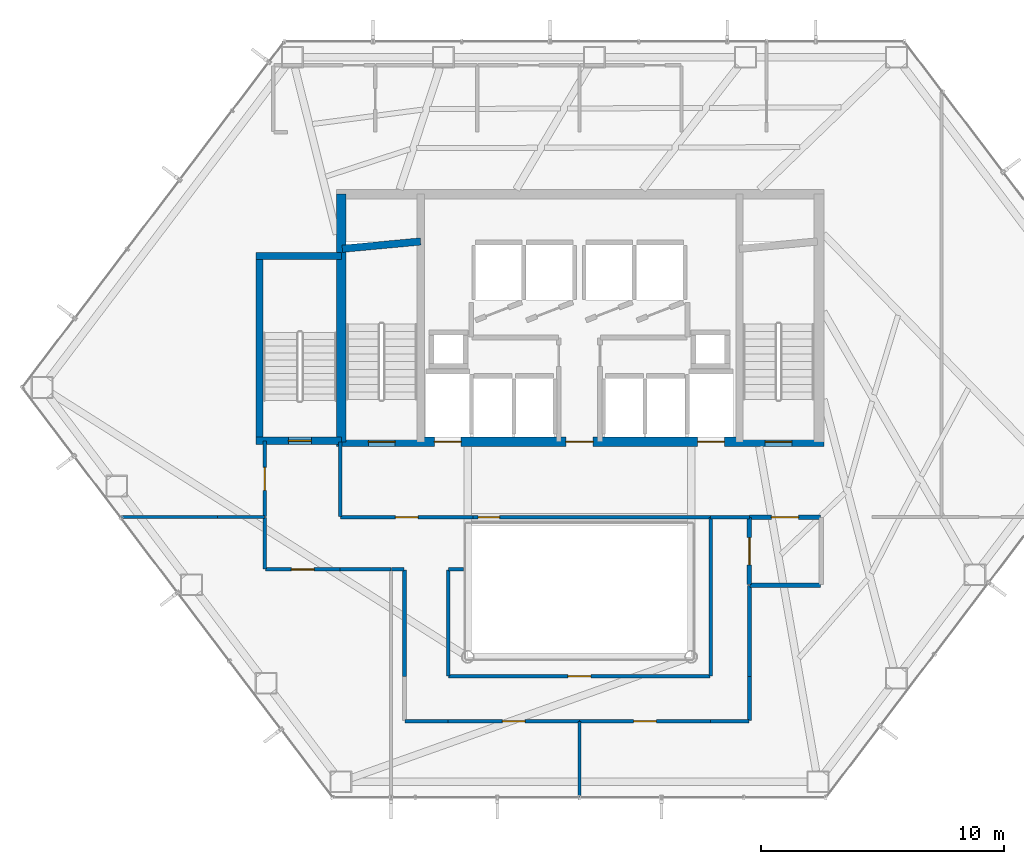
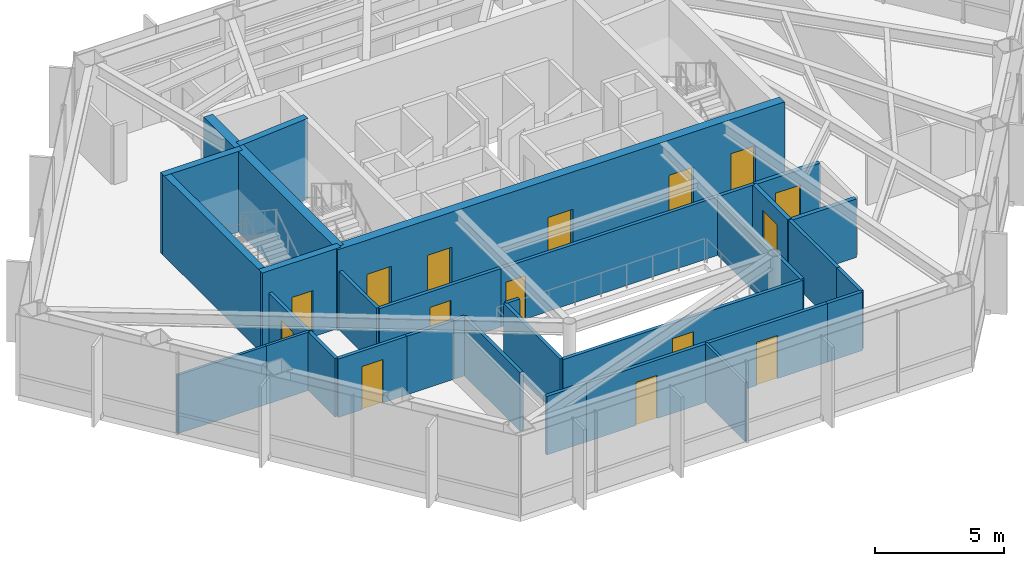
# One storey, part 21 of 24: 32 walls, 15 doors, 15 openings.
"""IFC4 building model written with IfcOpenShell, lengths in metres."""

from ifc_helpers import new_model, si_unit, direction, frame, frame_2d, origin, place, context, subcontext, project, spatial, rectangle, extrude, material, layer, layer_set, type_object, element, fill, save


model = new_model("IFC4")

# Units and contexts
model_context = context("Model", 3, precision=1e-05, world=origin(), true_north=direction((0.0, 1.0)))
body_context = subcontext(model_context, "Body", "Model", "MODEL_VIEW")
ifc_project = project(units=[si_unit("LENGTHUNIT", "METRE"), si_unit("AREAUNIT", "SQUARE_METRE"), si_unit("VOLUMEUNIT", "CUBIC_METRE"), si_unit("PLANEANGLEUNIT", "RADIAN"), si_unit("MASSUNIT", "GRAM", prefix="KILO")], contexts=[model_context])

# Site, building, storey
site_placement = place(None, origin())
site = spatial("IfcSite", under=ifc_project, at=site_placement, CompositionType="ELEMENT")
building_placement = place(site_placement, origin())
building = spatial("IfcBuilding", under=site, at=building_placement, Name="Zarrinselat Tower", CompositionType="ELEMENT")
storey_placement = place(building_placement, frame((0.0, 0.0, 76.5)))
storey = spatial("IfcBuildingStorey", under=building, at=storey_placement, Name="L18", CompositionType="ELEMENT", Elevation=76.5)

# Wall, opening, door
ifc_material_1 = material(Name="Concrete C40/50", Category="concrete")
ifc_layer_1 = layer(ifc_material_1, 0.18994140625)
ifc_layer_set_1 = layer_set([ifc_layer_1], Name="Concrete C40/50")
wall_type_1 = type_object("IfcWallType", Name="WAL-PART-EI120", PredefinedType="PARTITIONING", material=ifc_layer_set_1)
wall_1_placement = place(storey_placement, frame((45.405029296875, 30.14990234375, 0.0), z_axis=(0.0, 0.0, 1.0), x_axis=(1.0, 0.0, 0.0)))
wall_1 = element("IfcWall", 1, at=wall_1_placement, inside=storey, type_object=wall_type_1, Name="L18 Partition Wall 7", PredefinedType="PARTITIONING", context=body_context, shape_type="SweptSolid", body=[
    extrude(rectangle(XDim=2.925048828125, YDim=0.18994140625, at=frame_2d((1.46240234375, 0.0))), origin(), (0.0, 0.0, 1.0), 2.777099609375),
])
opening_1_placement = place(wall_1_placement, frame((0.902587890625, 0.0, 0.0)))
opening_1 = element("IfcOpeningElement", 2, at=opening_1_placement, cuts=wall_1, Name="Opening ID-02", PredefinedType="OPENING", context=body_context, shape_type="SweptSolid", body=[
    extrude(rectangle(XDim=1.1201171875, YDim=2.050048828125, at=frame_2d((0.56005859375, 1.02490234375))), frame((0.0, 0.10498046875, 0.0), z_axis=(0.0, -1.0, 0.0), x_axis=(1.0, 0.0, 0.0)), (0.0, 0.0, 1.0), 0.2099609375),
])
ifc_material_2 = material(Name="Steel S355J2", Category="steel")
door_type_1 = type_object("IfcDoorType", Name="DR-INT-FD60-W", OperationType="NOTDEFINED", PredefinedType="DOOR", material=ifc_material_2)
door_1_placement = place(opening_1_placement, origin())
door_1 = element("IfcDoor", 3, at=door_1_placement, inside=storey, type_object=door_type_1, Name="L18 Interior Door P7", OperationType="SINGLE_SWING_RIGHT", OverallHeight=2.050048828125, OverallWidth=1.1201171875, PredefinedType="DOOR", context=body_context, shape_type="SweptSolid", body=[
    extrude(rectangle(XDim=1.1201171875, YDim=2.050048828125, at=frame_2d((0.56005859375, 1.02490234375))), frame((0.0, 0.02490234375, 0.0), z_axis=(0.0, -1.0, 0.0), x_axis=(1.0, 0.0, 0.0)), (0.0, 0.0, 1.0), 0.050048828125),
])
fill(opening_1, door_1)

wall_2_placement = place(storey_placement, frame((45.39990234375, 27.3701171875, 0.0), z_axis=(0.0, 0.0, 1.0), x_axis=(0.0, 1.0, 0.0)))
wall_2 = element("IfcWall", 4, at=wall_2_placement, inside=storey, type_object=wall_type_1, Name="L18 Partition Wall 12", PredefinedType="PARTITIONING", context=body_context, shape_type="SweptSolid", body=[
    extrude(rectangle(XDim=2.759765625, YDim=0.18994140625, at=frame_2d((1.3798828125, 0.0))), origin(), (0.0, 0.0, 1.0), 2.777099609375),
])
opening_2_placement = place(wall_2_placement, frame((0.820068359375, 0.0, 0.0)))
opening_2 = element("IfcOpeningElement", 5, at=opening_2_placement, cuts=wall_2, Name="Opening ID-02", PredefinedType="OPENING", context=body_context, shape_type="SweptSolid", body=[
    extrude(rectangle(XDim=1.1201171875, YDim=2.050048828125, at=frame_2d((0.56005859375, 1.02490234375))), frame((0.0, 0.10498046875, 0.0), z_axis=(0.0, -1.0, 0.0), x_axis=(1.0, 0.0, 0.0)), (0.0, 0.0, 1.0), 0.2099609375),
])
door_2_placement = place(opening_2_placement, origin())
door_2 = element("IfcDoor", 6, at=door_2_placement, inside=storey, type_object=door_type_1, Name="L18 Interior Door P12", OperationType="SINGLE_SWING_LEFT", OverallHeight=2.050048828125, OverallWidth=1.1201171875, PredefinedType="DOOR", context=body_context, shape_type="SweptSolid", body=[
    extrude(rectangle(XDim=1.1201171875, YDim=2.050048828125, at=frame_2d((0.56005859375, 1.02490234375))), frame((0.0, 0.02490234375, 0.0), z_axis=(0.0, -1.0, 0.0), x_axis=(1.0, 0.0, 0.0)), (0.0, 0.0, 1.0), 0.050048828125),
])
fill(opening_2, door_2)

# Walls
wall_3_placement = place(storey_placement, frame((45.419921875, 27.35009765625, 0.0), z_axis=(0.0, 0.0, 1.0), x_axis=(1.0, 0.0, 0.0)))
element("IfcWall", 7, at=wall_3_placement, inside=storey, type_object=wall_type_1, Name="L18 Partition Wall 13", PredefinedType="PARTITIONING", context=body_context, shape_type="SweptSolid", body=[
    extrude(rectangle(XDim=2.91015625, YDim=0.18994140625, at=frame_2d((1.455078125, 0.0))), origin(), (0.0, 0.0, 1.0), 2.777099609375),
])
ifc_material_3 = material(Name="Fire-Rated Gypsum Board Partition", Category="gypsum")
ifc_layer_2 = layer(ifc_material_3, 0.14990234375)
ifc_layer_set_2 = layer_set([ifc_layer_2], Name="Fire-Rated Gypsum Board Partition")
wall_type_2 = type_object("IfcWallType", Name="WAL-PART-EI60", PredefinedType="PARTITIONING", material=ifc_layer_set_2)
wall_4_placement = place(storey_placement, frame((43.804931640625, 30.14990234375, 0.0), z_axis=(0.0, 0.0, 1.0), x_axis=(1.0, 0.0, 0.0)))
element("IfcWall", 8, at=wall_4_placement, inside=storey, type_object=wall_type_2, Name="L18 Partition Wall 8", PredefinedType="PARTITIONING", context=body_context, shape_type="SweptSolid", body=[
    extrude(rectangle(XDim=1.590087890625, YDim=0.14990234375, at=frame_2d((0.794921875, 0.0))), origin(), (0.0, 0.0, 1.0), 2.777099609375),
])

# Wall, opening, door
wall_5_placement = place(storey_placement, frame((28.570068359375, 30.14990234375, 0.0), z_axis=(0.0, 0.0, 1.0), x_axis=(1.0, 0.0, 0.0)))
wall_5 = element("IfcWall", 9, at=wall_5_placement, inside=storey, type_object=wall_type_2, Name="L18 Partition Wall 9", PredefinedType="PARTITIONING", context=body_context, shape_type="SweptSolid", body=[
    extrude(rectangle(XDim=5.44482421875, YDim=0.14990234375, at=frame_2d((2.722412109375, 0.0))), origin(), (0.0, 0.0, 1.0), 2.777099609375),
])
opening_3_placement = place(wall_5_placement, frame((2.25244140625, 0.0, 0.0)))
opening_3 = element("IfcOpeningElement", 10, at=opening_3_placement, cuts=wall_5, Name="Opening ID-04", PredefinedType="OPENING", context=body_context, shape_type="SweptSolid", body=[
    extrude(rectangle(XDim=0.93994140625, YDim=2.050048828125, at=frame_2d((0.469970703125, 1.02490234375))), frame((0.0, 0.0849609375, 0.0), z_axis=(0.0, -1.0, 0.0), x_axis=(1.0, 0.0, 0.0)), (0.0, 0.0, 1.0), 0.169921875),
])
ifc_material_4 = material(Name="Fire-Rated Gypsum Board Partition")
door_type_2 = type_object("IfcDoorType", Name="DR-INT-FD30-ENT", OperationType="NOTDEFINED", PredefinedType="DOOR", material=ifc_material_4)
door_3_placement = place(opening_3_placement, origin())
door_3 = element("IfcDoor", 11, at=door_3_placement, inside=storey, type_object=door_type_2, Name="L18 Interior Door P9", OperationType="SINGLE_SWING_LEFT", OverallHeight=2.050048828125, OverallWidth=0.93994140625, PredefinedType="DOOR", context=body_context, shape_type="SweptSolid", body=[
    extrude(rectangle(XDim=0.93994140625, YDim=2.050048828125, at=frame_2d((0.469970703125, 1.02490234375))), frame((0.0, 0.02490234375, 0.0), z_axis=(0.0, -1.0, 0.0), x_axis=(1.0, 0.0, 0.0)), (0.0, 0.0, 1.0), 0.050048828125),
])
fill(opening_3, door_3)

# Wall
wall_6_placement = place(storey_placement, frame((28.550048828125, 30.169921875, 0.0), z_axis=(0.0, 0.0, 1.0), x_axis=(0.0, 1.0, 0.0)))
element("IfcWall", 12, at=wall_6_placement, inside=storey, type_object=wall_type_2, Name="L18 Partition Wall 10", PredefinedType="PARTITIONING", context=body_context, shape_type="SweptSolid", body=[
    extrude(rectangle(XDim=3.065185546875, YDim=0.14990234375, at=frame_2d((1.53271484375, 0.0))), origin(), (0.0, 0.0, 1.0), 2.777099609375),
])

# Wall, opening, door
wall_7_placement = place(storey_placement, frame((33.985107421875, 30.14990234375, 0.0), z_axis=(0.0, 0.0, 1.0), x_axis=(1.0, 0.0, 0.0)))
wall_7 = element("IfcWall", 13, at=wall_7_placement, inside=storey, type_object=wall_type_2, Name="L18 Partition Wall 11", PredefinedType="PARTITIONING", context=body_context, shape_type="SweptSolid", body=[
    extrude(rectangle(XDim=9.809814453125, YDim=0.14990234375, at=frame_2d((4.90478515625, 0.0))), origin(), (0.0, 0.0, 1.0), 2.777099609375),
])
opening_4_placement = place(wall_7_placement, frame((0.25, 0.0, 0.0)))
opening_4 = element("IfcOpeningElement", 14, at=opening_4_placement, cuts=wall_7, Name="Opening ID-03", PredefinedType="OPENING", context=body_context, shape_type="SweptSolid", body=[
    extrude(rectangle(XDim=0.8798828125, YDim=2.050048828125, at=frame_2d((0.43994140625, 1.02490234375))), frame((0.0, 0.0849609375, 0.0), z_axis=(0.0, -1.0, 0.0), x_axis=(1.0, 0.0, 0.0)), (0.0, 0.0, 1.0), 0.169921875),
])
ifc_material_5 = material(Name="Steel S355J2", Category="steel")
door_type_3 = type_object("IfcDoorType", Name="DR-INT-FD60-S", OperationType="NOTDEFINED", PredefinedType="DOOR", material=ifc_material_5)
door_4_placement = place(opening_4_placement, origin())
door_4 = element("IfcDoor", 15, at=door_4_placement, inside=storey, type_object=door_type_3, Name="L18 Interior Door P11", OperationType="SINGLE_SWING_RIGHT", OverallHeight=2.050048828125, OverallWidth=0.8798828125, PredefinedType="DOOR", context=body_context, shape_type="SweptSolid", body=[
    extrude(rectangle(XDim=0.8798828125, YDim=2.050048828125, at=frame_2d((0.43994140625, 1.02490234375))), frame((0.0, 0.02490234375, 0.0), z_axis=(0.0, -1.0, 0.0), x_axis=(1.0, 0.0, 0.0)), (0.0, 0.0, 1.0), 0.050048828125),
])
fill(opening_4, door_4)

wall_8_placement = place(storey_placement, frame((33.0, 21.75, 0.0), z_axis=(0.0, 0.0, 1.0), x_axis=(1.0, 0.0, 0.0)))
wall_8 = element("IfcWall", 16, at=wall_8_placement, inside=storey, type_object=wall_type_2, Name="L18 Partition Wall 15", PredefinedType="PARTITIONING", context=body_context, shape_type="SweptSolid", body=[
    extrude(rectangle(XDim=5.39501953125, YDim=0.14990234375, at=frame_2d((2.697509765625, 0.0))), origin(), (0.0, 0.0, 1.0), 2.777099609375),
])
opening_5_placement = place(wall_8_placement, frame((2.2275390625, 0.0, 0.0)))
opening_5 = element("IfcOpeningElement", 17, at=opening_5_placement, cuts=wall_8, Name="Opening ID-04", PredefinedType="OPENING", context=body_context, shape_type="SweptSolid", body=[
    extrude(rectangle(XDim=0.93994140625, YDim=2.050048828125, at=frame_2d((0.469970703125, 1.02490234375))), frame((0.0, 0.0849609375, 0.0), z_axis=(0.0, -1.0, 0.0), x_axis=(1.0, 0.0, 0.0)), (0.0, 0.0, 1.0), 0.169921875),
])
door_5_placement = place(opening_5_placement, origin())
door_5 = element("IfcDoor", 18, at=door_5_placement, inside=storey, type_object=door_type_2, Name="L18 Interior Door P15", OperationType="SINGLE_SWING_RIGHT", OverallHeight=2.050048828125, OverallWidth=0.93994140625, PredefinedType="DOOR", context=body_context, shape_type="SweptSolid", body=[
    extrude(rectangle(XDim=0.93994140625, YDim=2.050048828125, at=frame_2d((0.469970703125, 1.02490234375))), frame((0.0, 0.02490234375, 0.0), z_axis=(0.0, -1.0, 0.0), x_axis=(1.0, 0.0, 0.0)), (0.0, 0.0, 1.0), 0.050048828125),
])
fill(opening_5, door_5)

# Walls
wall_9_placement = place(storey_placement, frame((31.219970703125, 21.75, 0.0), z_axis=(0.0, 0.0, 1.0), x_axis=(1.0, 0.0, 0.0)))
element("IfcWall", 19, at=wall_9_placement, inside=storey, type_object=wall_type_2, Name="L18 Partition Wall 16", PredefinedType="PARTITIONING", context=body_context, shape_type="SweptSolid", body=[
    extrude(rectangle(XDim=1.780029296875, YDim=0.14990234375, at=frame_2d((0.89013671875, 0.0))), origin(), (0.0, 0.0, 1.0), 2.777099609375),
])
wall_10_placement = place(storey_placement, frame((31.199951171875, 23.60009765625, 0.0), z_axis=(0.0, 0.0, 1.0), x_axis=(0.0, 1.0, 0.0)))
element("IfcWall", 20, at=wall_10_placement, inside=storey, type_object=wall_type_2, Name="L18 Partition Wall 18", PredefinedType="PARTITIONING", context=body_context, shape_type="SweptSolid", body=[
    extrude(rectangle(XDim=4.3798828125, YDim=0.14990234375, at=frame_2d((2.18994140625, 0.0))), origin(), (0.0, 0.0, 1.0), 2.777099609375),
])
wall_11_placement = place(storey_placement, frame((30.655029296875, 28.0, 0.0), z_axis=(0.0, 0.0, 1.0), x_axis=(1.0, 0.0, 0.0)))
element("IfcWall", 21, at=wall_11_placement, inside=storey, type_object=wall_type_2, Name="L18 Partition Wall 19", PredefinedType="PARTITIONING", context=body_context, shape_type="SweptSolid", body=[
    extrude(rectangle(XDim=0.52490234375, YDim=0.14990234375, at=frame_2d((0.262451171875, 0.0))), origin(), (0.0, 0.0, 1.0), 2.777099609375),
])
wall_12_placement = place(storey_placement, frame((45.39990234375, 23.60009765625, 0.0), z_axis=(0.0, 0.0, 1.0), x_axis=(0.0, 1.0, 0.0)))
element("IfcWall", 22, at=wall_12_placement, inside=storey, type_object=wall_type_2, Name="L18 Partition Wall 20", PredefinedType="PARTITIONING", context=body_context, shape_type="SweptSolid", body=[
    extrude(rectangle(XDim=3.72998046875, YDim=0.14990234375, at=frame_2d((1.864990234375, 0.0))), origin(), (0.0, 0.0, 1.0), 2.777099609375),
])
wall_13_placement = place(storey_placement, frame((45.39990234375, 21.77001953125, 0.0), z_axis=(0.0, 0.0, 1.0), x_axis=(0.0, 1.0, 0.0)))
element("IfcWall", 23, at=wall_13_placement, inside=storey, type_object=wall_type_2, Name="L18 Partition Wall 21", PredefinedType="PARTITIONING", context=body_context, shape_type="SweptSolid", body=[
    extrude(rectangle(XDim=1.830078125, YDim=0.14990234375, at=frame_2d((0.9150390625, 0.0))), origin(), (0.0, 0.0, 1.0), 2.777099609375),
])
wall_14_placement = place(storey_placement, frame((43.800048828125, 21.75, 0.0), z_axis=(0.0, 0.0, 1.0), x_axis=(1.0, 0.0, 0.0)))
element("IfcWall", 24, at=wall_14_placement, inside=storey, type_object=wall_type_2, Name="L18 Partition Wall 22", PredefinedType="PARTITIONING", context=body_context, shape_type="SweptSolid", body=[
    extrude(rectangle(XDim=1.579833984375, YDim=0.14990234375, at=frame_2d((0.7900390625, 0.0))), origin(), (0.0, 0.0, 1.0), 2.777099609375),
])

# Wall, opening, door
wall_15_placement = place(storey_placement, frame((38.405029296875, 21.75, 0.0), z_axis=(0.0, 0.0, 1.0), x_axis=(1.0, 0.0, 0.0)))
wall_15 = element("IfcWall", 25, at=wall_15_placement, inside=storey, type_object=wall_type_2, Name="L18 Partition Wall 23", PredefinedType="PARTITIONING", context=body_context, shape_type="SweptSolid", body=[
    extrude(rectangle(XDim=5.39501953125, YDim=0.14990234375, at=frame_2d((2.697509765625, 0.0))), origin(), (0.0, 0.0, 1.0), 2.777099609375),
])
opening_6_placement = place(wall_15_placement, frame((2.2275390625, 0.0, 0.0)))
opening_6 = element("IfcOpeningElement", 26, at=opening_6_placement, cuts=wall_15, Name="Opening ID-04", PredefinedType="OPENING", context=body_context, shape_type="SweptSolid", body=[
    extrude(rectangle(XDim=0.93994140625, YDim=2.050048828125, at=frame_2d((0.469970703125, 1.02490234375))), frame((0.0, 0.0849609375, 0.0), z_axis=(0.0, -1.0, 0.0), x_axis=(1.0, 0.0, 0.0)), (0.0, 0.0, 1.0), 0.169921875),
])
door_6_placement = place(opening_6_placement, origin())
door_6 = element("IfcDoor", 27, at=door_6_placement, inside=storey, type_object=door_type_2, Name="L18 Interior Door P23", OperationType="SINGLE_SWING_LEFT", OverallHeight=2.050048828125, OverallWidth=0.93994140625, PredefinedType="DOOR", context=body_context, shape_type="SweptSolid", body=[
    extrude(rectangle(XDim=0.93994140625, YDim=2.050048828125, at=frame_2d((0.469970703125, 1.02490234375))), frame((0.0, 0.02490234375, 0.0), z_axis=(0.0, -1.0, 0.0), x_axis=(1.0, 0.0, 0.0)), (0.0, 0.0, 1.0), 0.050048828125),
])
fill(opening_6, door_6)

# Wall
wall_16_placement = place(storey_placement, frame((28.550048828125, 28.0, 0.0), z_axis=(0.0, 0.0, 1.0), x_axis=(1.0, 0.0, 0.0)))
element("IfcWall", 28, at=wall_16_placement, inside=storey, type_object=wall_type_2, Name="L18 Partition Wall 24", PredefinedType="PARTITIONING", context=body_context, shape_type="SweptSolid", body=[
    extrude(rectangle(XDim=2.094970703125, YDim=0.14990234375, at=frame_2d((1.04736328125, 0.0))), origin(), (0.0, 0.0, 1.0), 2.777099609375),
])

# Wall, opening, door
wall_17_placement = place(storey_placement, frame((25.469970703125, 28.0, 0.0), z_axis=(0.0, 0.0, 1.0), x_axis=(1.0, 0.0, 0.0)))
wall_17 = element("IfcWall", 29, at=wall_17_placement, inside=storey, type_object=wall_type_2, Name="L18 Partition Wall 25", PredefinedType="PARTITIONING", context=body_context, shape_type="SweptSolid", body=[
    extrude(rectangle(XDim=3.080078125, YDim=0.14990234375, at=frame_2d((1.5400390625, 0.0))), origin(), (0.0, 0.0, 1.0), 2.777099609375),
])
opening_7_placement = place(wall_17_placement, frame((1.070068359375, 0.0, 0.0)))
opening_7 = element("IfcOpeningElement", 30, at=opening_7_placement, cuts=wall_17, Name="Opening ID-04", PredefinedType="OPENING", context=body_context, shape_type="SweptSolid", body=[
    extrude(rectangle(XDim=0.93994140625, YDim=2.050048828125, at=frame_2d((0.469970703125, 1.02490234375))), frame((0.0, 0.0849609375, 0.0), z_axis=(0.0, -1.0, 0.0), x_axis=(1.0, 0.0, 0.0)), (0.0, 0.0, 1.0), 0.169921875),
])
door_7_placement = place(opening_7_placement, origin())
door_7 = element("IfcDoor", 31, at=door_7_placement, inside=storey, type_object=door_type_2, Name="L18 Interior Door P25", OperationType="SINGLE_SWING_RIGHT", OverallHeight=2.050048828125, OverallWidth=0.93994140625, PredefinedType="DOOR", context=body_context, shape_type="SweptSolid", body=[
    extrude(rectangle(XDim=0.93994140625, YDim=2.050048828125, at=frame_2d((0.469970703125, 1.02490234375))), frame((0.0, 0.02490234375, 0.0), z_axis=(0.0, -1.0, 0.0), x_axis=(1.0, 0.0, 0.0)), (0.0, 0.0, 1.0), 0.050048828125),
])
fill(opening_7, door_7)

# Wall
wall_18_placement = place(storey_placement, frame((25.449951171875, 28.02001953125, 0.0), z_axis=(0.0, 0.0, 1.0), x_axis=(0.0, 1.0, 0.0)))
element("IfcWall", 32, at=wall_18_placement, inside=storey, type_object=wall_type_2, Name="L18 Partition Wall 26", PredefinedType="PARTITIONING", context=body_context, shape_type="SweptSolid", body=[
    extrude(rectangle(XDim=2.10986328125, YDim=0.14990234375, at=frame_2d((1.054931640625, 0.0))), origin(), (0.0, 0.0, 1.0), 2.777099609375),
])

# Wall, opening, door
wall_19_placement = place(storey_placement, frame((25.449951171875, 30.169921875, 0.0), z_axis=(0.0, 0.0, 1.0), x_axis=(0.0, 1.0, 0.0)))
wall_19 = element("IfcWall", 33, at=wall_19_placement, inside=storey, type_object=wall_type_2, Name="L18 Partition Wall 27", PredefinedType="PARTITIONING", context=body_context, shape_type="SweptSolid", body=[
    extrude(rectangle(XDim=3.114990234375, YDim=0.14990234375, at=frame_2d((1.5576171875, 0.0))), origin(), (0.0, 0.0, 1.0), 2.777099609375),
])
opening_8_placement = place(wall_19_placement, frame((1.08740234375, 0.0, 0.0)))
opening_8 = element("IfcOpeningElement", 34, at=opening_8_placement, cuts=wall_19, Name="Opening ID-04", PredefinedType="OPENING", context=body_context, shape_type="SweptSolid", body=[
    extrude(rectangle(XDim=0.93994140625, YDim=2.050048828125, at=frame_2d((0.469970703125, 1.02490234375))), frame((0.0, 0.0849609375, 0.0), z_axis=(0.0, -1.0, 0.0), x_axis=(1.0, 0.0, 0.0)), (0.0, 0.0, 1.0), 0.169921875),
])
door_8_placement = place(opening_8_placement, origin())
door_8 = element("IfcDoor", 35, at=door_8_placement, inside=storey, type_object=door_type_2, Name="L18 Interior Door P27", OperationType="SINGLE_SWING_LEFT", OverallHeight=2.050048828125, OverallWidth=0.93994140625, PredefinedType="DOOR", context=body_context, shape_type="SweptSolid", body=[
    extrude(rectangle(XDim=0.93994140625, YDim=2.050048828125, at=frame_2d((0.469970703125, 1.02490234375))), frame((0.0, 0.02490234375, 0.0), z_axis=(0.0, -1.0, 0.0), x_axis=(1.0, 0.0, 0.0)), (0.0, 0.0, 1.0), 0.050048828125),
])
fill(opening_8, door_8)

# Walls
wall_20_placement = place(storey_placement, frame((33.02001953125, 28.0, 0.0), z_axis=(0.0, 0.0, 1.0), x_axis=(1.0, 0.0, 0.0)))
element("IfcWall", 36, at=wall_20_placement, inside=storey, type_object=wall_type_2, Name="L18 Partition Wall 28", PredefinedType="PARTITIONING", context=body_context, shape_type="SweptSolid", body=[
    extrude(rectangle(XDim=0.60009765625, YDim=0.14990234375, at=frame_2d((0.300048828125, 0.0))), origin(), (0.0, 0.0, 1.0), 2.777099609375),
])
wall_21_placement = place(storey_placement, frame((33.0, 23.6201171875, 0.0), z_axis=(0.0, 0.0, 1.0), x_axis=(0.0, 1.0, 0.0)))
element("IfcWall", 37, at=wall_21_placement, inside=storey, type_object=wall_type_2, Name="L18 Partition Wall 29", PredefinedType="PARTITIONING", context=body_context, shape_type="SweptSolid", body=[
    extrude(rectangle(XDim=4.35986328125, YDim=0.14990234375, at=frame_2d((2.179931640625, 0.0))), origin(), (0.0, 0.0, 1.0), 2.777099609375),
])

# Wall, opening, door
wall_22_placement = place(storey_placement, frame((33.02001953125, 23.60009765625, 0.0), z_axis=(0.0, 0.0, 1.0), x_axis=(1.0, 0.0, 0.0)))
wall_22 = element("IfcWall", 38, at=wall_22_placement, inside=storey, type_object=wall_type_2, Name="L18 Partition Wall 30", PredefinedType="PARTITIONING", context=body_context, shape_type="SweptSolid", body=[
    extrude(rectangle(XDim=10.760009765625, YDim=0.14990234375, at=frame_2d((5.3798828125, 0.0))), origin(), (0.0, 0.0, 1.0), 2.777099609375),
])
opening_9_placement = place(wall_22_placement, frame((4.909912109375, 0.0, 0.0)))
opening_9 = element("IfcOpeningElement", 39, at=opening_9_placement, cuts=wall_22, Name="Opening ID-04", PredefinedType="OPENING", context=body_context, shape_type="SweptSolid", body=[
    extrude(rectangle(XDim=0.93994140625, YDim=2.050048828125, at=frame_2d((0.469970703125, 1.02490234375))), frame((0.0, 0.0849609375, 0.0), z_axis=(0.0, -1.0, 0.0), x_axis=(1.0, 0.0, 0.0)), (0.0, 0.0, 1.0), 0.169921875),
])
door_9_placement = place(opening_9_placement, origin())
door_9 = element("IfcDoor", 40, at=door_9_placement, inside=storey, type_object=door_type_2, Name="L18 Interior Door P30", OperationType="SINGLE_SWING_RIGHT", OverallHeight=2.050048828125, OverallWidth=0.93994140625, PredefinedType="DOOR", context=body_context, shape_type="SweptSolid", body=[
    extrude(rectangle(XDim=0.93994140625, YDim=2.050048828125, at=frame_2d((0.469970703125, 1.02490234375))), frame((0.0, 0.02490234375, 0.0), z_axis=(0.0, -1.0, 0.0), x_axis=(1.0, 0.0, 0.0)), (0.0, 0.0, 1.0), 0.050048828125),
])
fill(opening_9, door_9)

# Walls
wall_23_placement = place(storey_placement, frame((43.800048828125, 23.6201171875, 0.0), z_axis=(0.0, 0.0, 1.0), x_axis=(0.0, 1.0, 0.0)))
element("IfcWall", 41, at=wall_23_placement, inside=storey, type_object=wall_type_2, Name="L18 Partition Wall 31", PredefinedType="PARTITIONING", context=body_context, shape_type="SweptSolid", body=[
    extrude(rectangle(XDim=6.509765625, YDim=0.14990234375, at=frame_2d((3.2548828125, 0.0))), origin(), (0.0, 0.0, 1.0), 2.777099609375),
])
ifc_material_6 = material(Name="Fire-Rated Gypsum Board Partition", Category="gypsum")
ifc_layer_3 = layer(ifc_material_6, 0.1201171875)
ifc_layer_set_3 = layer_set([ifc_layer_3], Name="Fire-Rated Gypsum Board Partition")
wall_type_3 = type_object("IfcWallType", Name="WAL-PART-STD", PredefinedType="PARTITIONING", material=ifc_layer_set_3)
wall_24_placement = place(storey_placement, frame((38.39990234375, 18.619873046875, 0.0), z_axis=(0.0, 0.0, 1.0), x_axis=(0.0, 1.0, 0.0)))
element("IfcWall", 42, at=wall_24_placement, inside=storey, type_object=wall_type_3, Name="L18 Partition Wall 42", PredefinedType="PARTITIONING", context=body_context, shape_type="SweptSolid", body=[
    extrude(rectangle(XDim=3.110107421875, YDim=0.1201171875, at=frame_2d((1.55517578125, 0.0))), origin(), (0.0, 0.0, 1.0), 2.777099609375),
])
wall_25_placement = place(storey_placement, frame((19.523681640625, 30.14990234375, 0.0), z_axis=(0.0, 0.0, 1.0), x_axis=(1.0, 0.0, 0.0)))
element("IfcWall", 43, at=wall_25_placement, inside=storey, type_object=wall_type_3, Name="L18 Partition Wall 46", PredefinedType="PARTITIONING", context=body_context, shape_type="SweptSolid", body=[
    extrude(rectangle(XDim=3.976318359375, YDim=0.1201171875, at=frame_2d((1.98828125, 0.0))), origin(), (0.0, 0.0, 1.0), 2.777099609375),
])
wall_26_placement = place(storey_placement, frame((23.5, 30.14990234375, 0.0), z_axis=(0.0, 0.0, 1.0), x_axis=(1.0, 0.0, 0.0)))
element("IfcWall", 44, at=wall_26_placement, inside=storey, type_object=wall_type_3, Name="L18 Partition Wall 47", PredefinedType="PARTITIONING", context=body_context, shape_type="SweptSolid", body=[
    extrude(rectangle(XDim=1.929931640625, YDim=0.1201171875, at=frame_2d((0.96484375, 0.0))), origin(), (0.0, 0.0, 1.0), 2.777099609375),
])
ifc_material_7 = material(Name="Concrete C40/50", Category="concrete")
ifc_layer_4 = layer(ifc_material_7, 0.300048828125)
ifc_layer_set_4 = layer_set([ifc_layer_4], Name="Concrete C40/50")
wall_type_4 = type_object("IfcWallType", Name="WAL-SHEAR-300", PredefinedType="SHEAR", material=ifc_layer_set_4)
wall_27_placement = place(storey_placement, frame((28.639892578125, 41.199951171875, 0.0), z_axis=(0.0, 0.0, 1.0), x_axis=(0.995687118776, 0.092774789157, 0.0)))
element("IfcWall", 45, at=wall_27_placement, inside=storey, type_object=wall_type_4, Name="L18 Stair 1 North Shaft Wall", PredefinedType="SHEAR", context=body_context, shape_type="SweptSolid", body=[
    extrude(rectangle(XDim=3.234130859375, YDim=0.300048828125, at=frame_2d((1.6171875, 0.0))), origin(), (0.0, 0.0, 1.0), 3.820068359375),
])
wall_28_placement = place(storey_placement, frame((25.080078125, 40.89990234375, 0.0), z_axis=(0.0, 0.0, 1.0), x_axis=(1.0, 0.0, 0.0)))
element("IfcWall", 46, at=wall_28_placement, inside=storey, type_object=wall_type_4, Name="L18 Stair 3 North Shear Wall", PredefinedType="SHEAR", context=body_context, shape_type="SweptSolid", body=[
    extrude(rectangle(XDim=3.52001953125, YDim=0.300048828125, at=frame_2d((1.760009765625, 0.0))), origin(), (0.0, 0.0, 1.0), 3.820068359375),
])

# Wall, opening, door
wall_29_placement = place(storey_placement, frame((25.080078125, 33.300048828125, 0.0), z_axis=(0.0, 0.0, 1.0), x_axis=(1.0, 0.0, 0.0)))
wall_29 = element("IfcWall", 47, at=wall_29_placement, inside=storey, type_object=wall_type_4, Name="L18 Stair 3 South Shear Wall", PredefinedType="SHEAR", context=body_context, shape_type="SweptSolid", body=[
    extrude(rectangle(XDim=3.52001953125, YDim=0.300048828125, at=frame_2d((1.760009765625, 0.0))), origin(), (0.0, 0.0, 1.0), 3.820068359375),
])
opening_10_placement = place(wall_29_placement, frame((1.3349609375, 0.0, 0.0)))
opening_10 = element("IfcOpeningElement", 48, at=opening_10_placement, cuts=wall_29, Name="Opening SD-02", PredefinedType="OPENING", context=body_context, shape_type="SweptSolid", body=[
    extrude(rectangle(XDim=0.949951171875, YDim=2.199951171875, at=frame_2d((0.47509765625, 1.10009765625))), frame((0.0, 0.159912109375, 0.0), z_axis=(0.0, -1.0, 0.0), x_axis=(1.0, 0.0, 0.0)), (0.0, 0.0, 1.0), 0.320068359375),
])
ifc_material_8 = material(Name="Steel S355J2", Category="steel")
door_type_4 = type_object("IfcDoorType", Name="DR-STAIR-1050", OperationType="NOTDEFINED", PredefinedType="DOOR", material=ifc_material_8)
door_10_placement = place(opening_10_placement, origin())
door_10 = element("IfcDoor", 49, at=door_10_placement, inside=storey, type_object=door_type_4, Name="L18 Exit Stair 3 Fire Door", OperationType="SINGLE_SWING_LEFT", OverallHeight=2.199951171875, OverallWidth=0.949951171875, PredefinedType="DOOR", context=body_context, shape_type="SweptSolid", body=[
    extrude(rectangle(XDim=0.949951171875, YDim=2.199951171875, at=frame_2d((0.47509765625, 1.10009765625))), frame((0.0, 0.02490234375, 0.0), z_axis=(0.0, -1.0, 0.0), x_axis=(1.0, 0.0, 0.0)), (0.0, 0.0, 1.0), 0.050048828125),
])
fill(opening_10, door_10)

# Wall
wall_30_placement = place(storey_placement, frame((25.22998046875, 33.300048828125, 0.0), z_axis=(0.0, 0.0, 1.0), x_axis=(0.0, 1.0, 0.0)))
element("IfcWall", 50, at=wall_30_placement, inside=storey, type_object=wall_type_4, Name="L18 Stair 3 West Shear Wall", PredefinedType="SHEAR", context=body_context, shape_type="SweptSolid", body=[
    extrude(rectangle(XDim=7.599853515625, YDim=0.300048828125, at=frame_2d((3.7998046875, 0.0))), origin(), (0.0, 0.0, 1.0), 3.820068359375),
])

# Wall, openings, doors
ifc_material_9 = material(Name="Concrete C60/75", Category="concrete")
ifc_layer_5 = layer(ifc_material_9, 0.39990234375)
ifc_layer_set_5 = layer_set([ifc_layer_5], Name="Concrete C60/75")
wall_type_5 = type_object("IfcWallType", Name="WAL-SHEAR-400", PredefinedType="SHEAR", material=ifc_layer_set_5)
wall_31_placement = place(storey_placement, frame((28.39990234375, 33.25, 0.0), z_axis=(0.0, 0.0, 1.0), x_axis=(1.0, 0.0, 0.0)))
wall_31 = element("IfcWall", 51, at=wall_31_placement, inside=storey, type_object=wall_type_5, Name="L18 South Core Shear Wall", PredefinedType="SHEAR", context=body_context, shape_type="SweptSolid", body=[
    extrude(rectangle(XDim=20.06005859375, YDim=0.39990234375, at=frame_2d((10.030029296875, 0.0))), origin(), (0.0, 0.0, 1.0), 3.820068359375),
])
opening_11_placement = place(wall_31_placement, frame((4.030029296875, 0.0, 0.0)))
opening_11 = element("IfcOpeningElement", 52, at=opening_11_placement, cuts=wall_31, Name="Opening LD-FFL1", PredefinedType="OPENING", context=body_context, shape_type="SweptSolid", body=[
    extrude(rectangle(XDim=1.10009765625, YDim=2.14990234375, at=frame_2d((0.550048828125, 1.074951171875))), frame((0.0, 0.2099609375, 0.0), z_axis=(0.0, -1.0, 0.0), x_axis=(1.0, 0.0, 0.0)), (0.0, 0.0, 1.0), 0.419921875),
])
opening_12_placement = place(wall_31_placement, frame((14.8701171875, 0.0, 0.0)))
opening_12 = element("IfcOpeningElement", 53, at=opening_12_placement, cuts=wall_31, Name="Opening LD-FFL2", PredefinedType="OPENING", context=body_context, shape_type="SweptSolid", body=[
    extrude(rectangle(XDim=1.10009765625, YDim=2.14990234375, at=frame_2d((0.550048828125, 1.074951171875))), frame((0.0, 0.2099609375, 0.0), z_axis=(0.0, -1.0, 0.0), x_axis=(1.0, 0.0, 0.0)), (0.0, 0.0, 1.0), 0.419921875),
])
opening_13_placement = place(wall_31_placement, frame((1.31005859375, 0.0, 0.0)))
opening_13 = element("IfcOpeningElement", 54, at=opening_13_placement, cuts=wall_31, Name="Opening SD-01", PredefinedType="OPENING", context=body_context, shape_type="SweptSolid", body=[
    extrude(rectangle(XDim=1.10009765625, YDim=2.199951171875, at=frame_2d((0.550048828125, 1.10009765625))), frame((0.0, 0.2099609375, 0.0), z_axis=(0.0, -1.0, 0.0), x_axis=(1.0, 0.0, 0.0)), (0.0, 0.0, 1.0), 0.419921875),
])
opening_14_placement = place(wall_31_placement, frame((9.43994140625, 0.0, 0.0)))
opening_14 = element("IfcOpeningElement", 55, at=opening_14_placement, cuts=wall_31, Name="Opening ID-02", PredefinedType="OPENING", context=body_context, shape_type="SweptSolid", body=[
    extrude(rectangle(XDim=1.1201171875, YDim=2.050048828125, at=frame_2d((0.56005859375, 1.02490234375))), frame((0.0, 0.2099609375, 0.0), z_axis=(0.0, -1.0, 0.0), x_axis=(1.0, 0.0, 0.0)), (0.0, 0.0, 1.0), 0.419921875),
])
opening_15_placement = place(wall_31_placement, frame((17.64990234375, 0.0, 0.0)))
opening_15 = element("IfcOpeningElement", 56, at=opening_15_placement, cuts=wall_31, Name="Opening SD-01", PredefinedType="OPENING", context=body_context, shape_type="SweptSolid", body=[
    extrude(rectangle(XDim=1.10009765625, YDim=2.199951171875, at=frame_2d((0.550048828125, 1.10009765625))), frame((0.0, 0.2099609375, 0.0), z_axis=(0.0, -1.0, 0.0), x_axis=(1.0, 0.0, 0.0)), (0.0, 0.0, 1.0), 0.419921875),
])
door_11_placement = place(opening_14_placement, origin())
door_11 = element("IfcDoor", 57, at=door_11_placement, inside=storey, type_object=door_type_1, Name="L18 Core Service Vestibule Fire Door", OperationType="SINGLE_SWING_RIGHT", OverallHeight=2.050048828125, OverallWidth=1.1201171875, PredefinedType="DOOR", context=body_context, shape_type="SweptSolid", body=[
    extrude(rectangle(XDim=1.1201171875, YDim=2.050048828125, at=frame_2d((0.56005859375, 1.02490234375))), frame((0.0, 0.02490234375, 0.0), z_axis=(0.0, -1.0, 0.0), x_axis=(1.0, 0.0, 0.0)), (0.0, 0.0, 1.0), 0.050048828125),
])
fill(opening_14, door_11)
ifc_material_10 = material(Name="Steel S355J2", Category="steel")
door_type_5 = type_object("IfcDoorType", Name="DR-LIFT-FF-1100", OperationType="NOTDEFINED", PredefinedType="DOOR", material=ifc_material_10)
door_12_placement = place(opening_11_placement, origin())
door_12 = element("IfcDoor", 58, at=door_12_placement, inside=storey, type_object=door_type_5, Name="L18 Lift FFL1 Sliding Landing Door", OperationType="SLIDING_TO_LEFT", OverallHeight=2.14990234375, OverallWidth=1.10009765625, PredefinedType="DOOR", context=body_context, shape_type="SweptSolid", body=[
    extrude(rectangle(XDim=1.10009765625, YDim=2.14990234375, at=frame_2d((0.550048828125, 1.074951171875))), frame((0.0, 0.02490234375, 0.0), z_axis=(0.0, -1.0, 0.0), x_axis=(1.0, 0.0, 0.0)), (0.0, 0.0, 1.0), 0.050048828125),
])
fill(opening_11, door_12)
door_13_placement = place(opening_12_placement, origin())
door_13 = element("IfcDoor", 59, at=door_13_placement, inside=storey, type_object=door_type_5, Name="L18 Lift FFL2 Sliding Landing Door", OperationType="SLIDING_TO_RIGHT", OverallHeight=2.14990234375, OverallWidth=1.10009765625, PredefinedType="DOOR", context=body_context, shape_type="SweptSolid", body=[
    extrude(rectangle(XDim=1.10009765625, YDim=2.14990234375, at=frame_2d((0.550048828125, 1.074951171875))), frame((0.0, 0.02490234375, 0.0), z_axis=(0.0, -1.0, 0.0), x_axis=(1.0, 0.0, 0.0)), (0.0, 0.0, 1.0), 0.050048828125),
])
fill(opening_12, door_13)
ifc_material_11 = material(Name="Steel S355J2", Category="steel")
door_type_6 = type_object("IfcDoorType", Name="DR-STAIR-1100", OperationType="NOTDEFINED", PredefinedType="DOOR", material=ifc_material_11)
door_14_placement = place(opening_13_placement, origin())
door_14 = element("IfcDoor", 60, at=door_14_placement, inside=storey, type_object=door_type_6, Name="L18 Exit Stair 1 Fire Door", OperationType="SINGLE_SWING_LEFT", OverallHeight=2.199951171875, OverallWidth=1.10009765625, PredefinedType="DOOR", context=body_context, shape_type="SweptSolid", body=[
    extrude(rectangle(XDim=1.10009765625, YDim=2.199951171875, at=frame_2d((0.550048828125, 1.10009765625))), frame((0.0, 0.02490234375, 0.0), z_axis=(0.0, -1.0, 0.0), x_axis=(1.0, 0.0, 0.0)), (0.0, 0.0, 1.0), 0.050048828125),
])
fill(opening_13, door_14)
door_15_placement = place(opening_15_placement, origin())
door_15 = element("IfcDoor", 61, at=door_15_placement, inside=storey, type_object=door_type_6, Name="L18 Exit Stair 2 Fire Door", OperationType="SINGLE_SWING_RIGHT", OverallHeight=2.199951171875, OverallWidth=1.10009765625, PredefinedType="DOOR", context=body_context, shape_type="SweptSolid", body=[
    extrude(rectangle(XDim=1.10009765625, YDim=2.199951171875, at=frame_2d((0.550048828125, 1.10009765625))), frame((0.0, 0.02490234375, 0.0), z_axis=(0.0, -1.0, 0.0), x_axis=(1.0, 0.0, 0.0)), (0.0, 0.0, 1.0), 0.050048828125),
])
fill(opening_15, door_15)

# Wall
wall_32_placement = place(storey_placement, frame((28.60009765625, 33.25, 0.0), z_axis=(0.0, 0.0, 1.0), x_axis=(0.0, 1.0, 0.0)))
element("IfcWall", 62, at=wall_32_placement, inside=storey, type_object=wall_type_5, Name="L18 Core Shear Wall W", PredefinedType="SHEAR", context=body_context, shape_type="SweptSolid", body=[
    extrude(rectangle(XDim=10.199951171875, YDim=0.39990234375, at=frame_2d((5.10009765625, 0.0))), origin(), (0.0, 0.0, 1.0), 3.820068359375),
])

save(model, "model.ifc")
